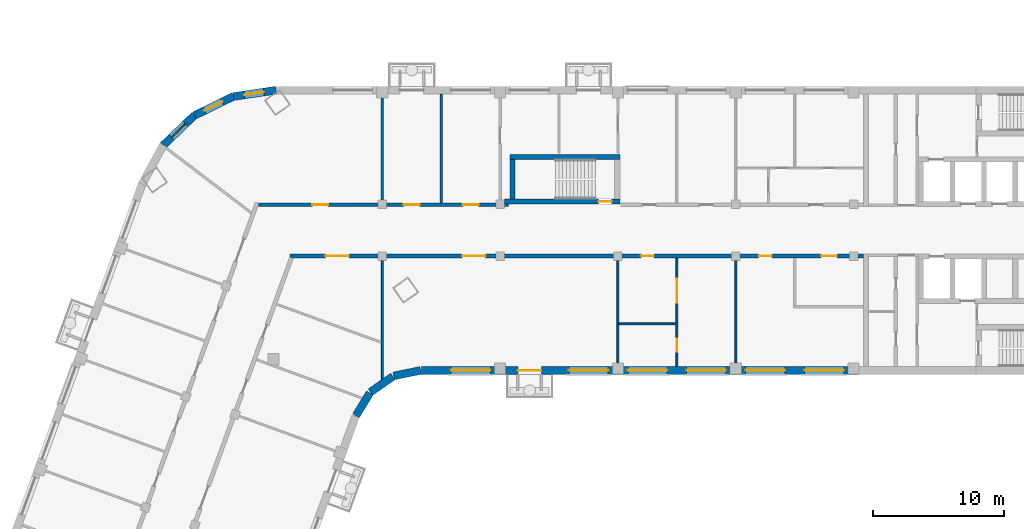
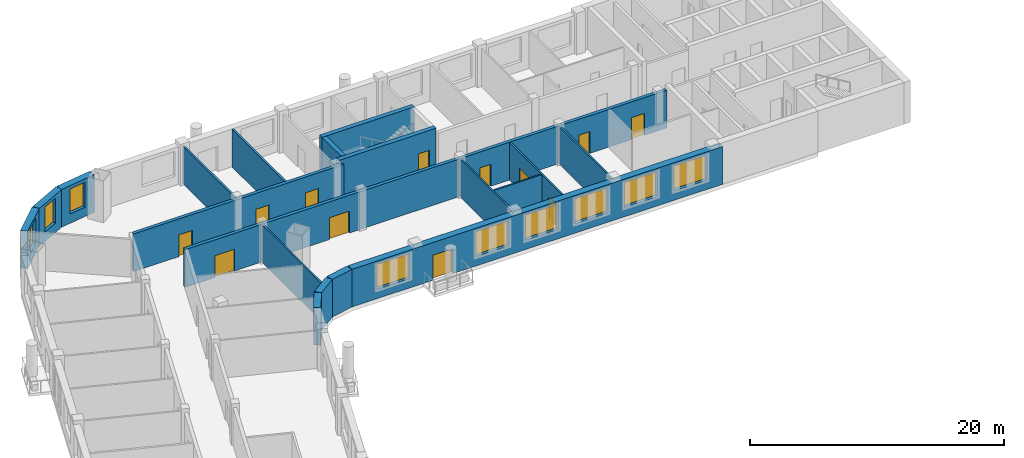
# One storey, part 4 of 16: 19 walls, 12 doors, 9 windows, 21 openings.
"""IFC4 building model written with IfcOpenShell, lengths in metres."""

import ifcopenshell
import ifcopenshell.guid

model = None  # the IFC model being written
_history = None  # IfcOwnerHistory: only IFC2X3 demands one
_inside = {}  # id of a spatial element -> (the spatial element, [elements in it])
_under = {}  # id of a project, library or spatial element -> (it, [spatial elements below it])
_declared = {}  # id of a project -> (the project, [libraries it declares])
_typed = {}  # id of a type object -> (the type object, [elements of that type])
_made_of = {}  # id of a material, layer set ... -> (it, [elements and type objects made of it])


def new_model(schema):
    """Start an empty IFC model of exactly this schema.

    Asked for "IFC4X3", IfcOpenShell would pick the latest addendum, in which some entities
    have other attributes; the version numbers below select the first issue.
    IFC2X3 requires an IfcOwnerHistory on every rooted entity: one is made here for all.
    """
    global model, _history
    if schema == "IFC4X3":
        model = ifcopenshell.file(schema_version=(4, 3, 0, 0))
    else:
        model = ifcopenshell.file(schema=schema)
    _inside.clear()
    _under.clear()
    _declared.clear()
    _typed.clear()
    _made_of.clear()
    _history = None
    if model.schema == "IFC2X3":
        org = make("IfcOrganization", Name="unknown")
        user = make(
            "IfcPersonAndOrganization",
            ThePerson=make("IfcPerson", FamilyName="unknown"),
            TheOrganization=org,
        )
        app = make(
            "IfcApplication",
            ApplicationDeveloper=org,
            Version="unknown",
            ApplicationFullName="unknown",
            ApplicationIdentifier="unknown",
        )
        _history = make(
            "IfcOwnerHistory",
            OwningUser=user,
            OwningApplication=app,
            ChangeAction="ADDED",
            CreationDate=0,
        )
    return model


def make(cls, **values):
    """One entity of the class cls with the attributes given. An attribute that is None is left unset."""
    return model.create_entity(
        cls, **{name: value for name, value in values.items() if value is not None}
    )


def rooted(cls, **values):
    """An entity with a GlobalId (a new one), such as an element, a storey or a relation."""
    return make(cls, GlobalId=ifcopenshell.guid.new(), OwnerHistory=_history, **values)


def si_unit(unit_type, name, prefix=None):
    """IfcSIUnit, for example si_unit("LENGTHUNIT", "METRE", prefix="MILLI")."""
    return make("IfcSIUnit", UnitType=unit_type, Prefix=prefix, Name=name)


def assignment(units):
    """IfcUnitAssignment: the units of a project."""
    return None if units is None else make("IfcUnitAssignment", Units=units)


def point(xyz):
    """IfcCartesianPoint."""
    return None if xyz is None else make("IfcCartesianPoint", Coordinates=xyz)


def direction(xyz):
    """IfcDirection."""
    return None if xyz is None else make("IfcDirection", DirectionRatios=xyz)


def frame(location, z_axis=None, x_axis=None):
    """IfcAxis2Placement3D, a coordinate frame: its origin and axes. An axis left out is left unset."""
    return make(
        "IfcAxis2Placement3D",
        Location=point(location),
        Axis=direction(z_axis),
        RefDirection=direction(x_axis),
    )


def frame_2d(location, x_axis=None):
    """IfcAxis2Placement2D, a coordinate frame in the plane: its origin and x axis."""
    return make(
        "IfcAxis2Placement2D", Location=point(location), RefDirection=direction(x_axis)
    )


def origin():
    """The frame at (0, 0, 0) with its axes left unset."""
    return frame((0.0, 0.0, 0.0))


def place(relative_to, where):
    """IfcLocalPlacement: puts the frame where relative to a parent placement (None: the world)."""
    return make(
        "IfcLocalPlacement", PlacementRelTo=relative_to, RelativePlacement=where
    )


def context(
    kind, dimensions, precision=None, world=None, true_north=None, identifier=None
):
    """IfcGeometricRepresentationContext, for example the 3D "Model" context."""
    return make(
        "IfcGeometricRepresentationContext",
        ContextIdentifier=identifier,
        ContextType=kind,
        CoordinateSpaceDimension=dimensions,
        Precision=precision,
        WorldCoordinateSystem=world,
        TrueNorth=true_north,
    )


def subcontext(parent, identifier, kind, view, scale=None):
    """IfcGeometricRepresentationSubContext, for example "Body" below "Model"."""
    return make(
        "IfcGeometricRepresentationSubContext",
        ContextIdentifier=identifier,
        ContextType=kind,
        ParentContext=parent,
        TargetScale=scale,
        TargetView=view,
    )


def project(units=None, contexts=None):
    """IfcProject with its units and contexts."""
    return rooted(
        "IfcProject",
        Name="project",
        RepresentationContexts=contexts,
        UnitsInContext=assignment(units),
    )


def spatial(cls, under=None, at=None, **own):
    """A site, building, storey or space (cls), placed at a placement, below another one or the project."""
    s = rooted(cls, ObjectPlacement=at, **own)
    if under is not None:
        _under.setdefault(under.id(), (under, []))[1].append(s)
    return s


def profile(cls, at=None, kind="AREA", **sizes):
    """A parametric profile (cls). Its sizes go by their IFC names, for example OverallWidth=200.0."""
    return make(cls, ProfileType=kind, Position=at, **sizes)


def rectangle(**sizes):
    """IfcRectangleProfileDef."""
    return profile("IfcRectangleProfileDef", **sizes)


def extrude(swept, where, along, depth):
    """IfcExtrudedAreaSolid: the profile swept, set in the frame where, extruded along a direction by depth."""
    return make(
        "IfcExtrudedAreaSolid",
        SweptArea=swept,
        Position=where,
        ExtrudedDirection=direction(along),
        Depth=depth,
    )


def shape(context_of_items, identifier, shape_type, items):
    """IfcShapeRepresentation: the items that make up one representation, for example the "Body"."""
    return make(
        "IfcShapeRepresentation",
        ContextOfItems=context_of_items,
        RepresentationIdentifier=identifier,
        RepresentationType=shape_type,
        Items=items,
    )


def material(Name=None, Category=None):
    """IfcMaterial."""
    return make("IfcMaterial", Name=Name, Category=Category)


def layer(
    of_material, thickness, ventilated=None, Name=None, Category=None, Priority=None
):
    """IfcMaterialLayer: one layer of a wall or slab, of a material (None: an air gap)."""
    return make(
        "IfcMaterialLayer",
        Material=of_material,
        LayerThickness=thickness,
        IsVentilated=ventilated,
        Name=Name,
        Category=Category,
        Priority=Priority,
    )


def layer_set(layers, Name=None):
    """IfcMaterialLayerSet."""
    return make("IfcMaterialLayerSet", MaterialLayers=layers, LayerSetName=Name)


def made_of(thing, what):
    """Note that an element or type object is made of a material, layer set ...; save() writes the relation."""
    if what is not None:
        _made_of.setdefault(what.id(), (what, []))[1].append(thing)
    return thing


def type_object(cls, material=None, **own):
    """A type object (cls), such as IfcWallType, which elements share."""
    return made_of(rooted(cls, **own), material)


def element(
    cls,
    number,
    at=None,
    inside=None,
    cuts=None,
    type_object=None,
    material=None,
    context=None,
    identifier="Body",
    shape_type=None,
    held_by="IfcProductDefinitionShape",
    body=None,
    shapes=None,
    **own,
):
    """One element of the class cls, such as IfcWall. Its Tag is "e" and its number.

    at: its placement. inside: the storey or other place that contains it. cuts: it is an
    opening in that element (IfcRelVoidsElement). A single representation is given by context,
    identifier, shape_type and body (its items); several are given by shapes. held_by: the class
    of the entity that holds the representations. save() writes the other relations.
    """
    e = rooted(cls, Tag="e%d" % number, ObjectPlacement=at, **own)
    if body is not None:
        shapes = [shape(context, identifier, shape_type, body)]
    if shapes is not None:
        e.Representation = make(held_by, Representations=shapes)
    if inside is not None:
        _inside.setdefault(inside.id(), (inside, []))[1].append(e)
    if cuts is not None:
        rooted(
            "IfcRelVoidsElement", RelatingBuildingElement=cuts, RelatedOpeningElement=e
        )
    if type_object is not None:
        _typed.setdefault(type_object.id(), (type_object, []))[1].append(e)
    return made_of(e, material)


def fill(opening, filler):
    """IfcRelFillsElement: the door or window that sits in an opening."""
    return rooted(
        "IfcRelFillsElement",
        RelatingOpeningElement=opening,
        RelatedBuildingElement=filler,
    )


def aggregate(whole, parts):
    """IfcRelAggregates: a whole, such as a stair, and the parts it consists of."""
    return rooted("IfcRelAggregates", RelatingObject=whole, RelatedObjects=parts)


def save(model, path):
    """Write the relations noted so far, then the file.

    IfcRelAggregates (storeys below a building ...), IfcRelContainedInSpatialStructure (elements
    in a storey), IfcRelDefinesByType, IfcRelAssociatesMaterial and IfcRelDeclares: one each for
    every whole, place, type object, material and project.
    """
    for whole, parts in _under.values():
        aggregate(whole, parts)
    for where, things in _inside.values():
        rooted(
            "IfcRelContainedInSpatialStructure",
            RelatedElements=things,
            RelatingStructure=where,
        )
    for kind, things in _typed.values():
        rooted("IfcRelDefinesByType", RelatedObjects=things, RelatingType=kind)
    for what, things in _made_of.values():
        rooted("IfcRelAssociatesMaterial", RelatedObjects=things, RelatingMaterial=what)
    for by, libraries in _declared.values():
        rooted("IfcRelDeclares", RelatingContext=by, RelatedDefinitions=libraries)
    model.write(path)


model = new_model("IFC4")

# Units and contexts
model_context = context("Model", 3, precision=1e-05, world=origin(), true_north=direction((0.0, 1.0)))
body_context = subcontext(model_context, "Body", "Model", "MODEL_VIEW")
ifc_project = project(units=[si_unit("LENGTHUNIT", "METRE"), si_unit("AREAUNIT", "SQUARE_METRE"), si_unit("VOLUMEUNIT", "CUBIC_METRE"), si_unit("PLANEANGLEUNIT", "RADIAN"), si_unit("MASSUNIT", "GRAM", prefix="KILO")], contexts=[model_context])

# Site, building, storey
site_placement = place(None, origin())
site = spatial("IfcSite", under=ifc_project, at=site_placement, CompositionType="ELEMENT")
building_placement = place(site_placement, origin())
building = spatial("IfcBuilding", under=site, at=building_placement, Name="Skarvind Civic Tower", CompositionType="ELEMENT")
storey_placement = place(building_placement, frame((0.0, 0.0, 81.0)))
storey = spatial("IfcBuildingStorey", under=building, at=storey_placement, Name="L18", CompositionType="ELEMENT", Elevation=81.0)

# Walls
ifc_material_1 = material(Name="Acoustic gypsum board on steel studs", Category="steel")
ifc_layer_1 = layer(ifc_material_1, 0.175048828125)
ifc_layer_set_1 = layer_set([ifc_layer_1], Name="ACOUSTIC MEETING-ROOM PARTITION 175")
wall_type_1 = type_object("IfcWallType", Name="ACOUSTIC MEETING-ROOM PARTITION 175", PredefinedType="PARTITIONING", material=ifc_layer_set_1)
for number, where, z_axis, x_axis, name in (
    (1, (54.25, 138.39990234375, 0.0), (0.0, 0.0, 1.0), (0.0, -1.0, 0.0), "Partition 18.017"),
    (2, (58.75, 130.10009765625, 0.0), (0.0, 0.0, 1.0), (0.0, 1.0, 0.0), "Partition 18.018"),
):
    element("IfcWall", number, at=place(storey_placement, frame(where, z_axis=z_axis, x_axis=x_axis)), inside=storey, type_object=wall_type_1, Name=name, PredefinedType="PARTITIONING", context=body_context, shape_type="SweptSolid", body=[
        extrude(rectangle(XDim=8.2998046875, YDim=0.175048828125, at=frame_2d((4.14990234375, 0.0))), origin(), (0.0, 0.0, 1.0), 3.625),
    ])

# Wall, openings, doors
ifc_material_2 = material(Name="Fire-rated gypsum board on steel studs", Category="steel")
ifc_layer_2 = layer(ifc_material_2, 0.300048828125)
ifc_layer_set_2 = layer_set([ifc_layer_2], Name="CORRIDOR WALL 300")
wall_type_2 = type_object("IfcWallType", Name="CORRIDOR WALL 300", PredefinedType="PARTITIONING", material=ifc_layer_set_2)
wall_1_placement = place(storey_placement, frame((44.784912109375, 129.949951171875, 0.0), z_axis=(0.0, 0.0, 1.0), x_axis=(1.0, 0.0, 0.0)))
wall_1 = element("IfcWall", 3, at=wall_1_placement, inside=storey, type_object=wall_type_2, Name="Partition 18.013", PredefinedType="PARTITIONING", context=body_context, shape_type="SweptSolid", body=[
    extrude(rectangle(XDim=19.114990234375, YDim=0.300048828125, at=frame_2d((9.5576171875, 0.0))), origin(), (0.0, 0.0, 1.0), 3.625),
])
opening_1_placement = place(wall_1_placement, frame((15.614990234375, 0.0, 0.0)))
opening_1 = element("IfcOpeningElement", 4, at=opening_1_placement, cuts=wall_1, Name="Opening L18-D009", PredefinedType="OPENING", context=body_context, shape_type="SweptSolid", body=[
    extrude(rectangle(XDim=1.199951171875, YDim=2.10009765625, at=frame_2d((0.60009765625, 1.050048828125))), frame((0.0, 0.159912109375, 0.0), z_axis=(0.0, -1.0, 0.0), x_axis=(1.0, 0.0, 0.0)), (0.0, 0.0, 1.0), 0.320068359375),
])
opening_2_placement = place(wall_1_placement, frame((11.114990234375, 0.0, 0.0)))
opening_2 = element("IfcOpeningElement", 5, at=opening_2_placement, cuts=wall_1, Name="Opening L18-D010", PredefinedType="OPENING", context=body_context, shape_type="SweptSolid", body=[
    extrude(rectangle(XDim=1.199951171875, YDim=2.10009765625, at=frame_2d((0.60009765625, 1.050048828125))), frame((0.0, 0.159912109375, 0.0), z_axis=(0.0, -1.0, 0.0), x_axis=(1.0, 0.0, 0.0)), (0.0, 0.0, 1.0), 0.320068359375),
])
opening_3_placement = place(wall_1_placement, frame((4.12255859375, 0.0, 0.0)))
opening_3 = element("IfcOpeningElement", 6, at=opening_3_placement, cuts=wall_1, Name="Opening L18-D027", PredefinedType="OPENING", context=body_context, shape_type="SweptSolid", body=[
    extrude(rectangle(XDim=1.199951171875, YDim=2.10009765625, at=frame_2d((0.60009765625, 1.050048828125))), frame((0.0, 0.159912109375, 0.0), z_axis=(0.0, -1.0, 0.0), x_axis=(1.0, 0.0, 0.0)), (0.0, 0.0, 1.0), 0.320068359375),
])
ifc_material_3 = material(Name="Fire-rated timber door leaf", Category="wood")
door_type_1 = type_object("IfcDoorType", Name="FD6 1200x2100 DOUBLE", OperationType="NOTDEFINED", PredefinedType="DOOR", material=ifc_material_3)
door_1_placement = place(opening_1_placement, origin())
door_1 = element("IfcDoor", 7, at=door_1_placement, inside=storey, type_object=door_type_1, Name="Door L18-D009", OperationType="DOUBLE_DOOR_SINGLE_SWING", OverallHeight=2.10009765625, OverallWidth=1.199951171875, PredefinedType="DOOR", context=body_context, shape_type="SweptSolid", body=[
    extrude(rectangle(XDim=1.199951171875, YDim=2.10009765625, at=frame_2d((0.60009765625, 1.050048828125))), frame((0.0, 0.02490234375, 0.0), z_axis=(0.0, -1.0, 0.0), x_axis=(1.0, 0.0, 0.0)), (0.0, 0.0, 1.0), 0.050048828125),
])
fill(opening_1, door_1)
door_2_placement = place(opening_2_placement, origin())
door_2 = element("IfcDoor", 8, at=door_2_placement, inside=storey, type_object=door_type_1, Name="Door L18-D010", OperationType="DOUBLE_DOOR_SINGLE_SWING", OverallHeight=2.10009765625, OverallWidth=1.199951171875, PredefinedType="DOOR", context=body_context, shape_type="SweptSolid", body=[
    extrude(rectangle(XDim=1.199951171875, YDim=2.10009765625, at=frame_2d((0.60009765625, 1.050048828125))), frame((0.0, 0.02490234375, 0.0), z_axis=(0.0, -1.0, 0.0), x_axis=(1.0, 0.0, 0.0)), (0.0, 0.0, 1.0), 0.050048828125),
])
fill(opening_2, door_2)
door_3_placement = place(opening_3_placement, origin())
door_3 = element("IfcDoor", 9, at=door_3_placement, inside=storey, type_object=door_type_1, Name="Door L18-D027", OperationType="DOUBLE_DOOR_SINGLE_SWING", OverallHeight=2.10009765625, OverallWidth=1.199951171875, PredefinedType="DOOR", context=body_context, shape_type="SweptSolid", body=[
    extrude(rectangle(XDim=1.199951171875, YDim=2.10009765625, at=frame_2d((0.60009765625, 1.050048828125))), frame((0.0, 0.02490234375, 0.0), z_axis=(0.0, -1.0, 0.0), x_axis=(1.0, 0.0, 0.0)), (0.0, 0.0, 1.0), 0.050048828125),
])
fill(opening_3, door_3)

wall_2_placement = place(storey_placement, frame((91.0, 126.050048828125, 0.0), z_axis=(0.0, 0.0, 1.0), x_axis=(-1.0, 0.0, 0.0)))
wall_2 = element("IfcWall", 10, at=wall_2_placement, inside=storey, type_object=wall_type_2, Name="Partition 18.034", PredefinedType="PARTITIONING", context=body_context, shape_type="SweptSolid", body=[
    extrude(rectangle(XDim=43.784912109375, YDim=0.300048828125, at=frame_2d((21.892578125, 0.0))), origin(), (0.0, 0.0, 1.0), 3.625),
])
opening_4_placement = place(wall_2_placement, frame((2.02490234375, 0.0, 0.0)))
opening_4 = element("IfcOpeningElement", 11, at=opening_4_placement, cuts=wall_2, Name="Opening L18-D011", PredefinedType="OPENING", context=body_context, shape_type="SweptSolid", body=[
    extrude(rectangle(XDim=1.199951171875, YDim=2.10009765625, at=frame_2d((0.60009765625, 1.050048828125))), frame((0.0, 0.159912109375, 0.0), z_axis=(0.0, -1.0, 0.0), x_axis=(1.0, 0.0, 0.0)), (0.0, 0.0, 1.0), 0.320068359375),
])
opening_5_placement = place(wall_2_placement, frame((7.0, 0.0, 0.0)))
opening_5 = element("IfcOpeningElement", 12, at=opening_5_placement, cuts=wall_2, Name="Opening L18-D012", PredefinedType="OPENING", context=body_context, shape_type="SweptSolid", body=[
    extrude(rectangle(XDim=1.0, YDim=2.10009765625, at=frame_2d((0.5, 1.050048828125))), frame((0.0, 0.159912109375, 0.0), z_axis=(0.0, -1.0, 0.0), x_axis=(1.0, 0.0, 0.0)), (0.0, 0.0, 1.0), 0.320068359375),
])
opening_6_placement = place(wall_2_placement, frame((16.0, 0.0, 0.0)))
opening_6 = element("IfcOpeningElement", 13, at=opening_6_placement, cuts=wall_2, Name="Opening L18-D013", PredefinedType="OPENING", context=body_context, shape_type="SweptSolid", body=[
    extrude(rectangle(XDim=1.0, YDim=2.10009765625, at=frame_2d((0.5, 1.050048828125))), frame((0.0, 0.159912109375, 0.0), z_axis=(0.0, -1.0, 0.0), x_axis=(1.0, 0.0, 0.0)), (0.0, 0.0, 1.0), 0.320068359375),
])
opening_7_placement = place(wall_2_placement, frame((28.85009765625, 0.0, 0.0)))
opening_7 = element("IfcOpeningElement", 14, at=opening_7_placement, cuts=wall_2, Name="Opening L18-D016", PredefinedType="OPENING", context=body_context, shape_type="SweptSolid", body=[
    extrude(rectangle(XDim=1.800048828125, YDim=2.10009765625, at=frame_2d((0.89990234375, 1.050048828125))), frame((0.0, 0.159912109375, 0.0), z_axis=(0.0, -1.0, 0.0), x_axis=(1.0, 0.0, 0.0)), (0.0, 0.0, 1.0), 0.320068359375),
])
opening_8_placement = place(wall_2_placement, frame((39.2958984375, 0.0, 0.0)))
opening_8 = element("IfcOpeningElement", 15, at=opening_8_placement, cuts=wall_2, Name="Opening L18-D029", PredefinedType="OPENING", context=body_context, shape_type="SweptSolid", body=[
    extrude(rectangle(XDim=1.800048828125, YDim=2.10009765625, at=frame_2d((0.89990234375, 1.050048828125))), frame((0.0, 0.159912109375, 0.0), z_axis=(0.0, -1.0, 0.0), x_axis=(1.0, 0.0, 0.0)), (0.0, 0.0, 1.0), 0.320068359375),
])
door_type_2 = type_object("IfcDoorType", Name="FD1 1000x2100", OperationType="NOTDEFINED", PredefinedType="DOOR", material=ifc_material_3)
door_4_placement = place(opening_5_placement, origin())
door_4 = element("IfcDoor", 16, at=door_4_placement, inside=storey, type_object=door_type_2, Name="Door L18-D012", OperationType="SINGLE_SWING_RIGHT", OverallHeight=2.10009765625, OverallWidth=1.0, PredefinedType="DOOR", context=body_context, shape_type="SweptSolid", body=[
    extrude(rectangle(XDim=1.0, YDim=2.10009765625, at=frame_2d((0.5, 1.050048828125))), frame((0.0, 0.02490234375, 0.0), z_axis=(0.0, -1.0, 0.0), x_axis=(1.0, 0.0, 0.0)), (0.0, 0.0, 1.0), 0.050048828125),
])
fill(opening_5, door_4)
door_5_placement = place(opening_6_placement, origin())
door_5 = element("IfcDoor", 17, at=door_5_placement, inside=storey, type_object=door_type_2, Name="Door L18-D013", OperationType="SINGLE_SWING_LEFT", OverallHeight=2.10009765625, OverallWidth=1.0, PredefinedType="DOOR", context=body_context, shape_type="SweptSolid", body=[
    extrude(rectangle(XDim=1.0, YDim=2.10009765625, at=frame_2d((0.5, 1.050048828125))), frame((0.0, 0.02490234375, 0.0), z_axis=(0.0, -1.0, 0.0), x_axis=(1.0, 0.0, 0.0)), (0.0, 0.0, 1.0), 0.050048828125),
])
fill(opening_6, door_5)
door_type_3 = type_object("IfcDoorType", Name="FD4 1800x2100", OperationType="NOTDEFINED", PredefinedType="DOOR", material=ifc_material_3)
door_6_placement = place(opening_7_placement, origin())
door_6 = element("IfcDoor", 18, at=door_6_placement, inside=storey, type_object=door_type_3, Name="Door L18-D016", OperationType="DOUBLE_DOOR_SINGLE_SWING", OverallHeight=2.10009765625, OverallWidth=1.800048828125, PredefinedType="DOOR", context=body_context, shape_type="SweptSolid", body=[
    extrude(rectangle(XDim=1.800048828125, YDim=2.10009765625, at=frame_2d((0.89990234375, 1.050048828125))), frame((0.0, 0.02490234375, 0.0), z_axis=(0.0, -1.0, 0.0), x_axis=(1.0, 0.0, 0.0)), (0.0, 0.0, 1.0), 0.050048828125),
])
fill(opening_7, door_6)
door_7_placement = place(opening_8_placement, origin())
door_7 = element("IfcDoor", 19, at=door_7_placement, inside=storey, type_object=door_type_3, Name="Door L18-D029", OperationType="DOUBLE_DOOR_SINGLE_SWING", OverallHeight=2.10009765625, OverallWidth=1.800048828125, PredefinedType="DOOR", context=body_context, shape_type="SweptSolid", body=[
    extrude(rectangle(XDim=1.800048828125, YDim=2.10009765625, at=frame_2d((0.89990234375, 1.050048828125))), frame((0.0, 0.02490234375, 0.0), z_axis=(0.0, -1.0, 0.0), x_axis=(1.0, 0.0, 0.0)), (0.0, 0.0, 1.0), 0.050048828125),
])
fill(opening_8, door_7)
door_8_placement = place(opening_4_placement, origin())
door_8 = element("IfcDoor", 20, at=door_8_placement, inside=storey, type_object=door_type_1, Name="Door L18-D011", OperationType="DOUBLE_DOOR_SINGLE_SWING", OverallHeight=2.10009765625, OverallWidth=1.199951171875, PredefinedType="DOOR", context=body_context, shape_type="SweptSolid", body=[
    extrude(rectangle(XDim=1.199951171875, YDim=2.10009765625, at=frame_2d((0.60009765625, 1.050048828125))), frame((0.0, 0.02490234375, 0.0), z_axis=(0.0, -1.0, 0.0), x_axis=(1.0, 0.0, 0.0)), (0.0, 0.0, 1.0), 0.050048828125),
])
fill(opening_4, door_8)

# Wall, opening, door
ifc_material_4 = material(Name="Concrete C80", Category="concrete")
ifc_layer_3 = layer(ifc_material_4, 0.39990234375)
ifc_layer_set_3 = layer_set([ifc_layer_3], Name="Core wall 400 C80")
wall_type_3 = type_object("IfcWallType", Name="Core wall 400 C80", PredefinedType="SHEAR", material=ifc_layer_set_3)
wall_3_placement = place(storey_placement, frame((63.574951171875, 130.199951171875, 0.0), z_axis=(0.0, 0.0, 1.0), x_axis=(1.0, 0.0, 0.0)))
wall_3 = element("IfcWall", 21, at=wall_3_placement, inside=storey, type_object=wall_type_3, Name="Core wall CM inner L18", PredefinedType="SHEAR", context=body_context, shape_type="SweptSolid", body=[
    extrude(rectangle(XDim=8.824951171875, YDim=0.39990234375, at=frame_2d((4.41259765625, 0.0))), origin(), (0.0, 0.0, 1.0), 4.0),
])
opening_9_placement = place(wall_3_placement, frame((7.199951171875, 0.0, 0.0)))
opening_9 = element("IfcOpeningElement", 22, at=opening_9_placement, cuts=wall_3, Name="Opening D-L18-CM-01", PredefinedType="OPENING", context=body_context, shape_type="SweptSolid", body=[
    extrude(rectangle(XDim=1.0, YDim=2.10009765625, at=frame_2d((0.5, 1.050048828125))), frame((0.0, 0.2099609375, 0.0), z_axis=(0.0, -1.0, 0.0), x_axis=(1.0, 0.0, 0.0)), (0.0, 0.0, 1.0), 0.419921875),
])
ifc_material_5 = material(Name="Fire-rated steel door", Category="steel")
door_type_4 = type_object("IfcDoorType", Name="Fire door 1000", OperationType="NOTDEFINED", PredefinedType="DOOR", material=ifc_material_5)
door_9_placement = place(opening_9_placement, origin())
door_9 = element("IfcDoor", 23, at=door_9_placement, inside=storey, type_object=door_type_4, Name="Fire door", OperationType="SINGLE_SWING_LEFT", OverallHeight=2.10009765625, OverallWidth=1.0, PredefinedType="DOOR", context=body_context, shape_type="SweptSolid", body=[
    extrude(rectangle(XDim=1.0, YDim=2.10009765625, at=frame_2d((0.5, 1.050048828125))), frame((0.0, 0.02490234375, 0.0), z_axis=(0.0, -1.0, 0.0), x_axis=(1.0, 0.0, 0.0)), (0.0, 0.0, 1.0), 0.050048828125),
])
fill(opening_9, door_9)

# Walls
wall_4_placement = place(storey_placement, frame((64.0, 133.60009765625, 0.0), z_axis=(0.0, 0.0, 1.0), x_axis=(1.0, 0.0, 0.0)))
element("IfcWall", 24, at=wall_4_placement, inside=storey, type_object=wall_type_3, Name="Core wall CM outer L18", PredefinedType="SHEAR", context=body_context, shape_type="SweptSolid", body=[
    extrude(rectangle(XDim=8.39990234375, YDim=0.39990234375, at=frame_2d((4.199951171875, 0.0))), origin(), (0.0, 0.0, 1.0), 4.0),
])
wall_5_placement = place(storey_placement, frame((64.199951171875, 130.39990234375, 0.0), z_axis=(0.0, 0.0, 1.0), x_axis=(0.0, 1.0, 0.0)))
element("IfcWall", 25, at=wall_5_placement, inside=storey, type_object=wall_type_3, Name="Core wall CM west L18", PredefinedType="SHEAR", context=body_context, shape_type="SweptSolid", body=[
    extrude(rectangle(XDim=3.0, YDim=0.39990234375, at=frame_2d((1.5, 0.0))), origin(), (0.0, 0.0, 1.0), 4.0),
])
ifc_material_6 = material(Name="Plasterboard partition on steel studs", Category="steel")
ifc_layer_4 = layer(ifc_material_6, 0.14990234375)
ifc_layer_set_4 = layer_set([ifc_layer_4], Name="PARTITION 150")
wall_type_4 = type_object("IfcWallType", Name="PARTITION 150", PredefinedType="PARTITIONING", material=ifc_layer_set_4)
wall_6_placement = place(storey_placement, frame((54.25, 116.636962890625, 0.0), z_axis=(0.0, 0.0, 1.0), x_axis=(0.0, 1.0, 0.0)))
element("IfcWall", 26, at=wall_6_placement, inside=storey, type_object=wall_type_4, Name="Partition 18.015", PredefinedType="PARTITIONING", context=body_context, shape_type="SweptSolid", body=[
    extrude(rectangle(XDim=9.262939453125, YDim=0.14990234375, at=frame_2d((4.63134765625, 0.0))), origin(), (0.0, 0.0, 1.0), 3.625),
])
wall_7_placement = place(storey_placement, frame((72.25, 117.60009765625, 0.0), z_axis=(0.0, 0.0, 1.0), x_axis=(0.0, 1.0, 0.0)))
element("IfcWall", 27, at=wall_7_placement, inside=storey, type_object=wall_type_4, Name="Partition 18.021", PredefinedType="PARTITIONING", context=body_context, shape_type="SweptSolid", body=[
    extrude(rectangle(XDim=8.2998046875, YDim=0.14990234375, at=frame_2d((4.14990234375, 0.0))), origin(), (0.0, 0.0, 1.0), 3.625),
])
wall_8_placement = place(storey_placement, frame((72.324951171875, 120.85009765625, 0.0), z_axis=(0.0, 0.0, 1.0), x_axis=(1.0, 0.0, 0.0)))
element("IfcWall", 28, at=wall_8_placement, inside=storey, type_object=wall_type_4, Name="Partition 18.022", PredefinedType="PARTITIONING", context=body_context, shape_type="SweptSolid", body=[
    extrude(rectangle(XDim=4.35009765625, YDim=0.14990234375, at=frame_2d((2.175048828125, 0.0))), origin(), (0.0, 0.0, 1.0), 3.625),
])

# Wall, openings, doors
wall_9_placement = place(storey_placement, frame((76.75, 117.60009765625, 0.0), z_axis=(0.0, 0.0, 1.0), x_axis=(0.0, 1.0, 0.0)))
wall_9 = element("IfcWall", 29, at=wall_9_placement, inside=storey, type_object=wall_type_4, Name="Partition 18.025", PredefinedType="PARTITIONING", context=body_context, shape_type="SweptSolid", body=[
    extrude(rectangle(XDim=8.2998046875, YDim=0.14990234375, at=frame_2d((4.14990234375, 0.0))), origin(), (0.0, 0.0, 1.0), 3.625),
])
opening_10_placement = place(wall_9_placement, frame((1.125, 0.0, 0.0)))
opening_10 = element("IfcOpeningElement", 30, at=opening_10_placement, cuts=wall_9, Name="Opening L18-D014", PredefinedType="OPENING", context=body_context, shape_type="SweptSolid", body=[
    extrude(rectangle(XDim=1.0, YDim=2.10009765625, at=frame_2d((0.5, 1.050048828125))), frame((0.0, 0.0849609375, 0.0), z_axis=(0.0, -1.0, 0.0), x_axis=(1.0, 0.0, 0.0)), (0.0, 0.0, 1.0), 0.169921875),
])
opening_11_placement = place(wall_9_placement, frame((4.883544921875, 0.0, 0.0)))
opening_11 = element("IfcOpeningElement", 31, at=opening_11_placement, cuts=wall_9, Name="Opening L18-D015", PredefinedType="OPENING", context=body_context, shape_type="SweptSolid", body=[
    extrude(rectangle(XDim=1.800048828125, YDim=2.10009765625, at=frame_2d((0.89990234375, 1.050048828125))), frame((0.0, 0.0849609375, 0.0), z_axis=(0.0, -1.0, 0.0), x_axis=(1.0, 0.0, 0.0)), (0.0, 0.0, 1.0), 0.169921875),
])
ifc_material_7 = material(Name="Timber door leaf", Category="wood")
door_type_5 = type_object("IfcDoorType", Name="D1 1000x2100", OperationType="NOTDEFINED", PredefinedType="DOOR", material=ifc_material_7)
door_10_placement = place(opening_10_placement, origin())
door_10 = element("IfcDoor", 32, at=door_10_placement, inside=storey, type_object=door_type_5, Name="Door L18-D014", OperationType="SINGLE_SWING_RIGHT", OverallHeight=2.10009765625, OverallWidth=1.0, PredefinedType="DOOR", context=body_context, shape_type="SweptSolid", body=[
    extrude(rectangle(XDim=1.0, YDim=2.10009765625, at=frame_2d((0.5, 1.050048828125))), frame((0.0, 0.02490234375, 0.0), z_axis=(0.0, -1.0, 0.0), x_axis=(1.0, 0.0, 0.0)), (0.0, 0.0, 1.0), 0.050048828125),
])
fill(opening_10, door_10)
door_type_6 = type_object("IfcDoorType", Name="D4 1800x2100", OperationType="NOTDEFINED", PredefinedType="DOOR", material=ifc_material_7)
door_11_placement = place(opening_11_placement, origin())
door_11 = element("IfcDoor", 33, at=door_11_placement, inside=storey, type_object=door_type_6, Name="Door L18-D015", OperationType="DOUBLE_DOOR_SINGLE_SWING", OverallHeight=2.10009765625, OverallWidth=1.800048828125, PredefinedType="DOOR", context=body_context, shape_type="SweptSolid", body=[
    extrude(rectangle(XDim=1.800048828125, YDim=2.10009765625, at=frame_2d((0.89990234375, 1.050048828125))), frame((0.0, 0.02490234375, 0.0), z_axis=(0.0, -1.0, 0.0), x_axis=(1.0, 0.0, 0.0)), (0.0, 0.0, 1.0), 0.050048828125),
])
fill(opening_11, door_11)

# Walls
wall_10_placement = place(storey_placement, frame((81.25, 117.60009765625, 0.0), z_axis=(0.0, 0.0, 1.0), x_axis=(0.0, 1.0, 0.0)))
element("IfcWall", 34, at=wall_10_placement, inside=storey, type_object=wall_type_4, Name="Partition 18.027", PredefinedType="PARTITIONING", context=body_context, shape_type="SweptSolid", body=[
    extrude(rectangle(XDim=8.2998046875, YDim=0.14990234375, at=frame_2d((4.14990234375, 0.0))), origin(), (0.0, 0.0, 1.0), 3.625),
])
ifc_material_8 = material(Name="Limestone masonry cladding on insulated backing", Category="masonry")
ifc_layer_5 = layer(ifc_material_8, 0.60009765625)
ifc_layer_set_5 = layer_set([ifc_layer_5], Name="WX1 STONE FACADE WALL 600")
wall_type_5 = type_object("IfcWallType", Name="WX1 STONE FACADE WALL 600", PredefinedType="SOLIDWALL", material=ifc_layer_set_5)
wall_11_placement = place(storey_placement, frame((53.30517578125, 115.578369140625, 0.0), z_axis=(0.0, 0.0, 1.0), x_axis=(-0.522402266438, -0.852699168535, 0.0)))
element("IfcWall", 35, at=wall_11_placement, inside=storey, type_object=wall_type_5, Name="STONE FACADE WALL", PredefinedType="SOLIDWALL", context=body_context, shape_type="SweptSolid", body=[
    extrude(rectangle(XDim=2.042236328125, YDim=0.60009765625, at=frame_2d((1.02099609375, 0.0))), origin(), (0.0, 0.0, 1.0), 3.625),
])
for number, where, z_axis, x_axis, name in (
    (36, (55.061767578125, 116.8388671875, 0.0), (0.0, 0.0, 1.0), (-0.819122269495, -0.573618956815, 0.0), "STONE FACADE WALL"),
    (37, (57.17529296875, 117.2939453125, 0.0), (0.0, 0.0, 1.0), (-0.97996099083, -0.19918949885, 0.0), "STONE FACADE WALL"),
):
    element("IfcWall", number, at=place(storey_placement, frame(where, z_axis=z_axis, x_axis=x_axis)), inside=storey, type_object=wall_type_5, Name=name, PredefinedType="SOLIDWALL", context=body_context, shape_type="SweptSolid", body=[
        extrude(rectangle(XDim=2.09228515625, YDim=0.60009765625, at=frame_2d((1.046142578125, 0.0))), origin(), (0.0, 0.0, 1.0), 3.625),
    ])

# Wall, openings, door, windows
wall_12_placement = place(storey_placement, frame((90.97998046875, 117.300048828125, 0.0), z_axis=(0.0, 0.0, 1.0), x_axis=(-1.0, 0.0, 0.0)))
wall_12 = element("IfcWall", 38, at=wall_12_placement, inside=storey, type_object=wall_type_5, Name="STONE FACADE WALL", PredefinedType="SOLIDWALL", context=body_context, shape_type="SweptSolid", body=[
    extrude(rectangle(XDim=33.744873046875, YDim=0.60009765625, at=frame_2d((16.87255859375, 0.0))), origin(), (0.0, 0.0, 1.0), 3.625),
])
opening_12_placement = place(wall_12_placement, frame((1.47998046875, 0.0, 0.89990234375)))
opening_12 = element("IfcOpeningElement", 39, at=opening_12_placement, cuts=wall_12, Name="Opening WN1", PredefinedType="OPENING", context=body_context, shape_type="SweptSolid", body=[
    extrude(rectangle(XDim=3.0, YDim=2.39990234375, at=frame_2d((1.5, 1.199951171875))), frame((0.0, 0.31005859375, 0.0), z_axis=(0.0, -1.0, 0.0), x_axis=(1.0, 0.0, 0.0)), (0.0, 0.0, 1.0), 0.6201171875),
])
opening_13_placement = place(wall_12_placement, frame((5.97998046875, 0.0, 0.89990234375)))
opening_13 = element("IfcOpeningElement", 40, at=opening_13_placement, cuts=wall_12, Name="Opening WN1", PredefinedType="OPENING", context=body_context, shape_type="SweptSolid", body=[
    extrude(rectangle(XDim=3.0, YDim=2.39990234375, at=frame_2d((1.5, 1.199951171875))), frame((0.0, 0.31005859375, 0.0), z_axis=(0.0, -1.0, 0.0), x_axis=(1.0, 0.0, 0.0)), (0.0, 0.0, 1.0), 0.6201171875),
])
opening_14_placement = place(wall_12_placement, frame((10.47998046875, 0.0, 0.89990234375)))
opening_14 = element("IfcOpeningElement", 41, at=opening_14_placement, cuts=wall_12, Name="Opening WN1", PredefinedType="OPENING", context=body_context, shape_type="SweptSolid", body=[
    extrude(rectangle(XDim=3.0, YDim=2.39990234375, at=frame_2d((1.5, 1.199951171875))), frame((0.0, 0.31005859375, 0.0), z_axis=(0.0, -1.0, 0.0), x_axis=(1.0, 0.0, 0.0)), (0.0, 0.0, 1.0), 0.6201171875),
])
opening_15_placement = place(wall_12_placement, frame((14.97998046875, 0.0, 0.89990234375)))
opening_15 = element("IfcOpeningElement", 42, at=opening_15_placement, cuts=wall_12, Name="Opening WN1", PredefinedType="OPENING", context=body_context, shape_type="SweptSolid", body=[
    extrude(rectangle(XDim=3.0, YDim=2.39990234375, at=frame_2d((1.5, 1.199951171875))), frame((0.0, 0.31005859375, 0.0), z_axis=(0.0, -1.0, 0.0), x_axis=(1.0, 0.0, 0.0)), (0.0, 0.0, 1.0), 0.6201171875),
])
opening_16_placement = place(wall_12_placement, frame((19.47998046875, 0.0, 0.89990234375)))
opening_16 = element("IfcOpeningElement", 43, at=opening_16_placement, cuts=wall_12, Name="Opening WN1", PredefinedType="OPENING", context=body_context, shape_type="SweptSolid", body=[
    extrude(rectangle(XDim=3.0, YDim=2.39990234375, at=frame_2d((1.5, 1.199951171875))), frame((0.0, 0.31005859375, 0.0), z_axis=(0.0, -1.0, 0.0), x_axis=(1.0, 0.0, 0.0)), (0.0, 0.0, 1.0), 0.6201171875),
])
opening_17_placement = place(wall_12_placement, frame((24.580078125, 0.0, 0.0)))
opening_17 = element("IfcOpeningElement", 44, at=opening_17_placement, cuts=wall_12, Name="Opening DX3", PredefinedType="OPENING", context=body_context, shape_type="SweptSolid", body=[
    extrude(rectangle(XDim=1.800048828125, YDim=2.39990234375, at=frame_2d((0.89990234375, 1.199951171875))), frame((0.0, 0.31005859375, 0.0), z_axis=(0.0, -1.0, 0.0), x_axis=(1.0, 0.0, 0.0)), (0.0, 0.0, 1.0), 0.6201171875),
])
opening_18_placement = place(wall_12_placement, frame((28.47998046875, 0.0, 0.89990234375)))
opening_18 = element("IfcOpeningElement", 45, at=opening_18_placement, cuts=wall_12, Name="Opening WN1", PredefinedType="OPENING", context=body_context, shape_type="SweptSolid", body=[
    extrude(rectangle(XDim=3.0, YDim=2.39990234375, at=frame_2d((1.5, 1.199951171875))), frame((0.0, 0.31005859375, 0.0), z_axis=(0.0, -1.0, 0.0), x_axis=(1.0, 0.0, 0.0)), (0.0, 0.0, 1.0), 0.6201171875),
])
ifc_material_9 = material(Name="Timber and glass doorset", Category="wood")
door_type_7 = type_object("IfcDoorType", Name="DX3 TERRACE DOORS 1800 x 2400", OperationType="NOTDEFINED", PredefinedType="DOOR", material=ifc_material_9)
door_12_placement = place(opening_17_placement, origin())
door_12 = element("IfcDoor", 46, at=door_12_placement, inside=storey, type_object=door_type_7, Name="TERRACE DOORS", OperationType="DOUBLE_DOOR_SINGLE_SWING", OverallHeight=2.39990234375, OverallWidth=1.800048828125, PredefinedType="DOOR", context=body_context, shape_type="SweptSolid", body=[
    extrude(rectangle(XDim=1.800048828125, YDim=2.39990234375, at=frame_2d((0.89990234375, 1.199951171875))), frame((0.0, 0.02490234375, 0.0), z_axis=(0.0, -1.0, 0.0), x_axis=(1.0, 0.0, 0.0)), (0.0, 0.0, 1.0), 0.050048828125),
])
fill(opening_17, door_12)
ifc_material_10 = material(Name="Timber frame, double glazing, timber-lined reveal", Category="wood")
window_type_1 = type_object("IfcWindowType", Name="WN1 PUNCHED STONE WINDOW 3000 x 2400", PartitioningType="SINGLE_PANEL", PredefinedType="WINDOW", material=ifc_material_10)
window_1_placement = place(opening_12_placement, origin())
window_1 = element("IfcWindow", 47, at=window_1_placement, inside=storey, type_object=window_type_1, Name="WN1 WINDOW", OverallHeight=2.39990234375, OverallWidth=3.0, PartitioningType="SINGLE_PANEL", PredefinedType="WINDOW", context=body_context, shape_type="SweptSolid", body=[
    extrude(rectangle(XDim=3.0, YDim=2.39990234375, at=frame_2d((1.5, 1.199951171875))), frame((0.0, 0.030029296875, 0.0), z_axis=(0.0, -1.0, 0.0), x_axis=(1.0, 0.0, 0.0)), (0.0, 0.0, 1.0), 0.06005859375),
])
fill(opening_12, window_1)
window_2_placement = place(opening_13_placement, origin())
window_2 = element("IfcWindow", 48, at=window_2_placement, inside=storey, type_object=window_type_1, Name="WN1 WINDOW", OverallHeight=2.39990234375, OverallWidth=3.0, PartitioningType="SINGLE_PANEL", PredefinedType="WINDOW", context=body_context, shape_type="SweptSolid", body=[
    extrude(rectangle(XDim=3.0, YDim=2.39990234375, at=frame_2d((1.5, 1.199951171875))), frame((0.0, 0.030029296875, 0.0), z_axis=(0.0, -1.0, 0.0), x_axis=(1.0, 0.0, 0.0)), (0.0, 0.0, 1.0), 0.06005859375),
])
fill(opening_13, window_2)
window_3_placement = place(opening_14_placement, origin())
window_3 = element("IfcWindow", 49, at=window_3_placement, inside=storey, type_object=window_type_1, Name="WN1 WINDOW", OverallHeight=2.39990234375, OverallWidth=3.0, PartitioningType="SINGLE_PANEL", PredefinedType="WINDOW", context=body_context, shape_type="SweptSolid", body=[
    extrude(rectangle(XDim=3.0, YDim=2.39990234375, at=frame_2d((1.5, 1.199951171875))), frame((0.0, 0.030029296875, 0.0), z_axis=(0.0, -1.0, 0.0), x_axis=(1.0, 0.0, 0.0)), (0.0, 0.0, 1.0), 0.06005859375),
])
fill(opening_14, window_3)
window_4_placement = place(opening_15_placement, origin())
window_4 = element("IfcWindow", 50, at=window_4_placement, inside=storey, type_object=window_type_1, Name="WN1 WINDOW", OverallHeight=2.39990234375, OverallWidth=3.0, PartitioningType="SINGLE_PANEL", PredefinedType="WINDOW", context=body_context, shape_type="SweptSolid", body=[
    extrude(rectangle(XDim=3.0, YDim=2.39990234375, at=frame_2d((1.5, 1.199951171875))), frame((0.0, 0.030029296875, 0.0), z_axis=(0.0, -1.0, 0.0), x_axis=(1.0, 0.0, 0.0)), (0.0, 0.0, 1.0), 0.06005859375),
])
fill(opening_15, window_4)
window_5_placement = place(opening_16_placement, origin())
window_5 = element("IfcWindow", 51, at=window_5_placement, inside=storey, type_object=window_type_1, Name="WN1 WINDOW", OverallHeight=2.39990234375, OverallWidth=3.0, PartitioningType="SINGLE_PANEL", PredefinedType="WINDOW", context=body_context, shape_type="SweptSolid", body=[
    extrude(rectangle(XDim=3.0, YDim=2.39990234375, at=frame_2d((1.5, 1.199951171875))), frame((0.0, 0.030029296875, 0.0), z_axis=(0.0, -1.0, 0.0), x_axis=(1.0, 0.0, 0.0)), (0.0, 0.0, 1.0), 0.06005859375),
])
fill(opening_16, window_5)
window_6_placement = place(opening_18_placement, origin())
window_6 = element("IfcWindow", 52, at=window_6_placement, inside=storey, type_object=window_type_1, Name="WN1 WINDOW", OverallHeight=2.39990234375, OverallWidth=3.0, PartitioningType="SINGLE_PANEL", PredefinedType="WINDOW", context=body_context, shape_type="SweptSolid", body=[
    extrude(rectangle(XDim=3.0, YDim=2.39990234375, at=frame_2d((1.5, 1.199951171875))), frame((0.0, 0.030029296875, 0.0), z_axis=(0.0, -1.0, 0.0), x_axis=(1.0, 0.0, 0.0)), (0.0, 0.0, 1.0), 0.06005859375),
])
fill(opening_18, window_6)

# Wall, opening, window
wall_13_placement = place(storey_placement, frame((42.872802734375, 138.21728515625, 0.0), z_axis=(0.0, 0.0, 1.0), x_axis=(0.989110792192, 0.14717282619, 0.0)))
wall_13 = element("IfcWall", 53, at=wall_13_placement, inside=storey, type_object=wall_type_5, Name="STONE FACADE WALL", PredefinedType="SOLIDWALL", context=body_context, shape_type="SweptSolid", body=[
    extrude(rectangle(XDim=3.302734375, YDim=0.60009765625, at=frame_2d((1.6513671875, 0.0))), origin(), (0.0, 0.0, 1.0), 3.625),
])
opening_19_placement = place(wall_13_placement, frame((0.8564453125, 0.0, 0.89990234375)))
opening_19 = element("IfcOpeningElement", 54, at=opening_19_placement, cuts=wall_13, Name="Opening WN8", PredefinedType="OPENING", context=body_context, shape_type="SweptSolid", body=[
    extrude(rectangle(XDim=1.5, YDim=2.39990234375, at=frame_2d((0.75, 1.199951171875))), frame((0.0, 0.31005859375, 0.0), z_axis=(0.0, -1.0, 0.0), x_axis=(1.0, 0.0, 0.0)), (0.0, 0.0, 1.0), 0.6201171875),
])
window_type_2 = type_object("IfcWindowType", Name="WN8 ARC BAY WINDOW 1500 x 2400", PartitioningType="SINGLE_PANEL", PredefinedType="WINDOW", material=ifc_material_10)
window_7_placement = place(opening_19_placement, origin())
window_7 = element("IfcWindow", 55, at=window_7_placement, inside=storey, type_object=window_type_2, Name="WN8 WINDOW", OverallHeight=2.39990234375, OverallWidth=1.5, PartitioningType="SINGLE_PANEL", PredefinedType="WINDOW", context=body_context, shape_type="SweptSolid", body=[
    extrude(rectangle(XDim=1.5, YDim=2.39990234375, at=frame_2d((0.75, 1.199951171875))), frame((0.0, 0.030029296875, 0.0), z_axis=(0.0, -1.0, 0.0), x_axis=(1.0, 0.0, 0.0)), (0.0, 0.0, 1.0), 0.06005859375),
])
fill(opening_19, window_7)

wall_14_placement = place(storey_placement, frame((39.9072265625, 136.77587890625, 0.0), z_axis=(0.0, 0.0, 1.0), x_axis=(0.89761231107, 0.440785819889, 0.0)))
wall_14 = element("IfcWall", 56, at=wall_14_placement, inside=storey, type_object=wall_type_5, Name="STONE FACADE WALL", PredefinedType="SOLIDWALL", context=body_context, shape_type="SweptSolid", body=[
    extrude(rectangle(XDim=3.302734375, YDim=0.60009765625, at=frame_2d((1.6513671875, 0.0))), origin(), (0.0, 0.0, 1.0), 3.625),
])
opening_20_placement = place(wall_14_placement, frame((0.8564453125, 0.0, 0.89990234375)))
opening_20 = element("IfcOpeningElement", 57, at=opening_20_placement, cuts=wall_14, Name="Opening WN8", PredefinedType="OPENING", context=body_context, shape_type="SweptSolid", body=[
    extrude(rectangle(XDim=1.5, YDim=2.39990234375, at=frame_2d((0.75, 1.199951171875))), frame((0.0, 0.31005859375, 0.0), z_axis=(0.0, -1.0, 0.0), x_axis=(1.0, 0.0, 0.0)), (0.0, 0.0, 1.0), 0.6201171875),
])
window_8_placement = place(opening_20_placement, origin())
window_8 = element("IfcWindow", 58, at=window_8_placement, inside=storey, type_object=window_type_2, Name="WN8 WINDOW", OverallHeight=2.39990234375, OverallWidth=1.5, PartitioningType="SINGLE_PANEL", PredefinedType="WINDOW", context=body_context, shape_type="SweptSolid", body=[
    extrude(rectangle(XDim=1.5, YDim=2.39990234375, at=frame_2d((0.75, 1.199951171875))), frame((0.0, 0.030029296875, 0.0), z_axis=(0.0, -1.0, 0.0), x_axis=(1.0, 0.0, 0.0)), (0.0, 0.0, 1.0), 0.06005859375),
])
fill(opening_20, window_8)

wall_15_placement = place(storey_placement, frame((37.520263671875, 134.501220703125, 0.0), z_axis=(0.0, 0.0, 1.0), x_axis=(0.72115684486, 0.692771827596, 0.0)))
wall_15 = element("IfcWall", 59, at=wall_15_placement, inside=storey, type_object=wall_type_5, Name="STONE FACADE WALL", PredefinedType="SOLIDWALL", context=body_context, shape_type="SweptSolid", body=[
    extrude(rectangle(XDim=3.302734375, YDim=0.60009765625, at=frame_2d((1.6513671875, 0.0))), origin(), (0.0, 0.0, 1.0), 3.625),
])
opening_21_placement = place(wall_15_placement, frame((0.8564453125, 0.0, 0.89990234375)))
opening_21 = element("IfcOpeningElement", 60, at=opening_21_placement, cuts=wall_15, Name="Opening WN8", PredefinedType="OPENING", context=body_context, shape_type="SweptSolid", body=[
    extrude(rectangle(XDim=1.5, YDim=2.39990234375, at=frame_2d((0.75, 1.199951171875))), frame((0.0, 0.31005859375, 0.0), z_axis=(0.0, -1.0, 0.0), x_axis=(1.0, 0.0, 0.0)), (0.0, 0.0, 1.0), 0.6201171875),
])
window_9_placement = place(opening_21_placement, origin())
window_9 = element("IfcWindow", 61, at=window_9_placement, inside=storey, type_object=window_type_2, Name="WN8 WINDOW", OverallHeight=2.39990234375, OverallWidth=1.5, PartitioningType="SINGLE_PANEL", PredefinedType="WINDOW", context=body_context, shape_type="SweptSolid", body=[
    extrude(rectangle(XDim=1.5, YDim=2.39990234375, at=frame_2d((0.75, 1.199951171875))), frame((0.0, 0.030029296875, 0.0), z_axis=(0.0, -1.0, 0.0), x_axis=(1.0, 0.0, 0.0)), (0.0, 0.0, 1.0), 0.06005859375),
])
fill(opening_21, window_9)

save(model, "model.ifc")
